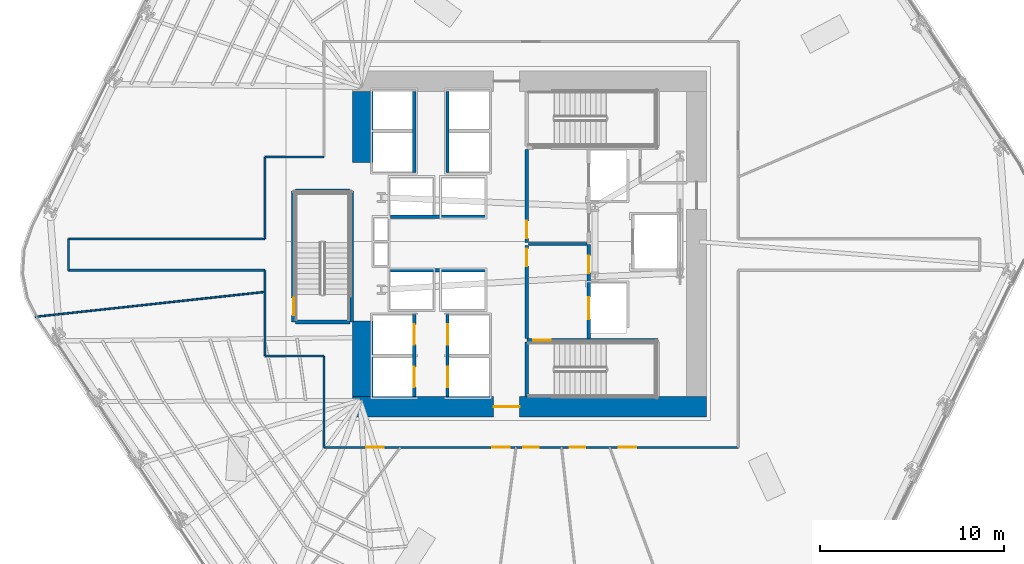
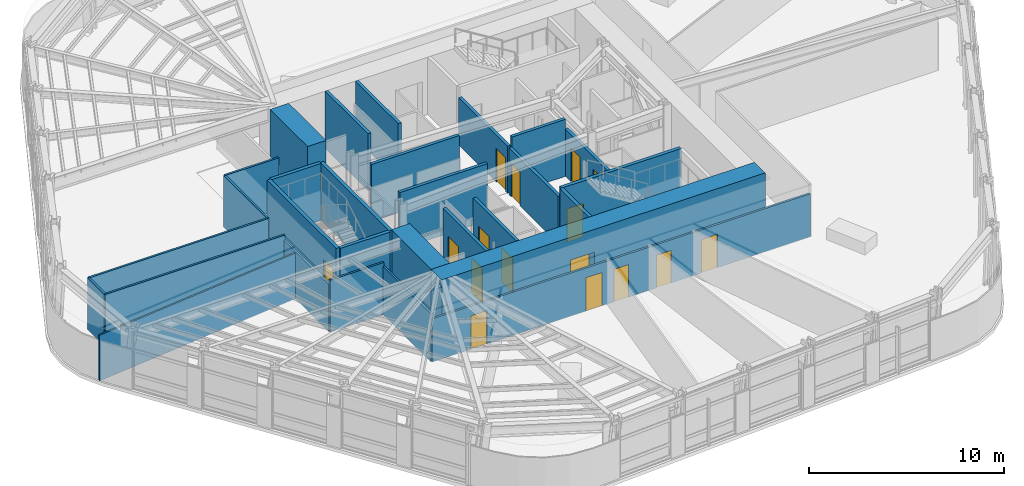
# One storey, part 8 of 15: 29 walls, 16 doors, 16 openings.
"""IFC4 building model written with IfcOpenShell, lengths in metres."""

from ifc_helpers import new_model, si_unit, direction, frame, frame_2d, origin, place, context, subcontext, project, spatial, rectangle, extrude, material, layer, layer_set, type_object, element, fill, save


model = new_model("IFC4")

# Units and contexts
model_context = context("Model", 3, precision=1e-05, world=origin(), true_north=direction((0.0, 1.0)))
body_context = subcontext(model_context, "Body", "Model", "MODEL_VIEW")
ifc_project = project(units=[si_unit("LENGTHUNIT", "METRE"), si_unit("AREAUNIT", "SQUARE_METRE"), si_unit("VOLUMEUNIT", "CUBIC_METRE"), si_unit("PLANEANGLEUNIT", "RADIAN"), si_unit("MASSUNIT", "GRAM", prefix="KILO")], contexts=[model_context])

# Site, building, storey
site_placement = place(None, origin())
site = spatial("IfcSite", under=ifc_project, at=site_placement, CompositionType="ELEMENT")
building_placement = place(site_placement, origin())
building = spatial("IfcBuilding", under=site, at=building_placement, Name="Valkerne Bourse Tower", CompositionType="ELEMENT")
storey_placement = place(building_placement, frame((0.0, 0.0, 39.199951171875)))
storey = spatial("IfcBuildingStorey", under=building, at=storey_placement, Name="L09", CompositionType="ELEMENT", Elevation=39.199951171875)

# Wall, opening, door
ifc_material_1 = material(Name="Concrete C70/85", Category="concrete")
ifc_layer_1 = layer(ifc_material_1, 1.10009765625)
ifc_layer_set_1 = layer_set([ifc_layer_1], Name="Concrete C70/85")
wall_type_1 = type_object("IfcWallType", Name="W-CORE-1100", PredefinedType="SHEAR", material=ifc_layer_set_1)
wall_1_placement = place(storey_placement, frame((37.199951171875, 18.050048828125, 0.0), z_axis=(0.0, 0.0, 1.0), x_axis=(1.0, 0.0, 0.0)))
wall_1 = element("IfcWall", 1, at=wall_1_placement, inside=storey, type_object=wall_type_1, Name="L09 Core Shear Wall SOUTH", PredefinedType="SHEAR", context=body_context, shape_type="SweptSolid", body=[
    extrude(rectangle(XDim=19.199951171875, YDim=1.10009765625, at=frame_2d((9.60009765625, 0.0))), origin(), (0.0, 0.0, 1.0), 3.580078125),
])
opening_1_placement = place(wall_1_placement, frame((7.64990234375, 0.0, 0.0)))
opening_1 = element("IfcOpeningElement", 2, at=opening_1_placement, cuts=wall_1, Name="Opening D-PL-1400", PredefinedType="OPENING", context=body_context, shape_type="SweptSolid", body=[
    extrude(rectangle(XDim=1.39990234375, YDim=2.14990234375, at=frame_2d((0.699951171875, 1.074951171875))), frame((0.0, 0.56005859375, 0.0), z_axis=(0.0, -1.0, 0.0), x_axis=(1.0, 0.0, 0.0)), (0.0, 0.0, 1.0), 1.1201171875),
])
ifc_material_2 = material(Name="Galvanised Painted Steel", Category="steel")
door_type_1 = type_object("IfcDoorType", Name="DR-PLT-1400", OperationType="DOUBLE_DOOR_SINGLE_SWING", PredefinedType="DOOR", material=ifc_material_2)
door_1_placement = place(opening_1_placement, origin())
door_1 = element("IfcDoor", 3, at=door_1_placement, inside=storey, type_object=door_type_1, Name="L09 South Passenger Lift Hall Fire Door", OperationType="DOUBLE_DOOR_SINGLE_SWING", OverallHeight=2.14990234375, OverallWidth=1.39990234375, PredefinedType="DOOR", context=body_context, shape_type="SweptSolid", body=[
    extrude(rectangle(XDim=1.39990234375, YDim=2.14990234375, at=frame_2d((0.699951171875, 1.074951171875))), frame((0.0, 0.02490234375, 0.0), z_axis=(0.0, -1.0, 0.0), x_axis=(1.0, 0.0, 0.0)), (0.0, 0.0, 1.0), 0.050048828125),
])
fill(opening_1, door_1)

# Walls
wall_2_placement = place(storey_placement, frame((37.75, 18.60009765625, 0.0), z_axis=(0.0, 0.0, 1.0), x_axis=(0.0, 1.0, 0.0)))
element("IfcWall", 4, at=wall_2_placement, inside=storey, type_object=wall_type_1, Name="L09 Core Shear Wall WEST-S", PredefinedType="SHEAR", context=body_context, shape_type="SweptSolid", body=[
    extrude(rectangle(XDim=4.099853515625, YDim=1.10009765625, at=frame_2d((2.0498046875, 0.0))), origin(), (0.0, 0.0, 1.0), 3.580078125),
])
wall_3_placement = place(storey_placement, frame((37.75, 31.300048828125, 0.0), z_axis=(0.0, 0.0, 1.0), x_axis=(0.0, 1.0, 0.0)))
element("IfcWall", 5, at=wall_3_placement, inside=storey, type_object=wall_type_1, Name="L09 Core Shear Wall WEST-N", PredefinedType="SHEAR", context=body_context, shape_type="SweptSolid", body=[
    extrude(rectangle(XDim=3.849853515625, YDim=1.10009765625, at=frame_2d((1.9248046875, 0.0))), origin(), (0.0, 0.0, 1.0), 3.580078125),
])

# Wall, openings, doors
ifc_material_3 = material(Name="Gypsum Board Steel-Stud Partition", Category="steel")
ifc_layer_2 = layer(ifc_material_3, 0.117919921875)
ifc_layer_set_2 = layer_set([ifc_layer_2], Name="Gypsum Board Steel-Stud Partition")
wall_type_2 = type_object("IfcWallType", Name="W-CORR-140", PredefinedType="PARTITIONING", material=ifc_layer_set_2)
wall_4_placement = place(storey_placement, frame((58.10009765625, 15.85009765625, 0.0), z_axis=(0.0, 0.0, 1.0), x_axis=(-1.0, 0.0, 0.0)))
wall_4 = element("IfcWall", 6, at=wall_4_placement, inside=storey, type_object=wall_type_2, Name="L09 Corridor Enclosure Wall", PredefinedType="PARTITIONING", context=body_context, shape_type="SweptSolid", body=[
    extrude(rectangle(XDim=22.4501953125, YDim=0.117919921875, at=frame_2d((11.22509765625, 0.0))), origin(), (0.0, 0.0, 1.0), 2.711669921875),
])
opening_2_placement = place(wall_4_placement, frame((10.794921875, 0.0, 0.0)))
opening_2 = element("IfcOpeningElement", 7, at=opening_2_placement, cuts=wall_4, Name="Opening D-WC-900", PredefinedType="OPENING", context=body_context, shape_type="SweptSolid", body=[
    extrude(rectangle(XDim=0.860107421875, YDim=2.050048828125, at=frame_2d((0.43017578125, 1.02490234375))), frame((0.0, 0.06884765625, 0.0), z_axis=(0.0, -1.0, 0.0), x_axis=(1.0, 0.0, 0.0)), (0.0, 0.0, 1.0), 0.137939453125),
])
opening_3_placement = place(wall_4_placement, frame((8.27490234375, 0.0, 0.0)))
opening_3 = element("IfcOpeningElement", 8, at=opening_3_placement, cuts=wall_4, Name="Opening D-WC-900", PredefinedType="OPENING", context=body_context, shape_type="SweptSolid", body=[
    extrude(rectangle(XDim=0.860107421875, YDim=2.050048828125, at=frame_2d((0.43017578125, 1.02490234375))), frame((0.0, 0.06884765625, 0.0), z_axis=(0.0, -1.0, 0.0), x_axis=(1.0, 0.0, 0.0)), (0.0, 0.0, 1.0), 0.137939453125),
])
opening_4_placement = place(wall_4_placement, frame((12.3701171875, 0.0, 0.0)))
opening_4 = element("IfcOpeningElement", 9, at=opening_4_placement, cuts=wall_4, Name="Opening D-OF-950", PredefinedType="OPENING", context=body_context, shape_type="SweptSolid", body=[
    extrude(rectangle(XDim=0.949951171875, YDim=2.10009765625, at=frame_2d((0.47509765625, 1.050048828125))), frame((0.0, 0.06884765625, 0.0), z_axis=(0.0, -1.0, 0.0), x_axis=(1.0, 0.0, 0.0)), (0.0, 0.0, 1.0), 0.137939453125),
])
opening_5_placement = place(wall_4_placement, frame((19.2099609375, 0.0, 0.0)))
opening_5 = element("IfcOpeningElement", 10, at=opening_5_placement, cuts=wall_4, Name="Opening D-OF-950", PredefinedType="OPENING", context=body_context, shape_type="SweptSolid", body=[
    extrude(rectangle(XDim=0.949951171875, YDim=2.10009765625, at=frame_2d((0.47509765625, 1.050048828125))), frame((0.0, 0.06884765625, 0.0), z_axis=(0.0, -1.0, 0.0), x_axis=(1.0, 0.0, 0.0)), (0.0, 0.0, 1.0), 0.137939453125),
])
opening_6_placement = place(wall_4_placement, frame((5.530029296875, 0.0, 0.0)))
opening_6 = element("IfcOpeningElement", 11, at=opening_6_placement, cuts=wall_4, Name="Opening D-OF-950", PredefinedType="OPENING", context=body_context, shape_type="SweptSolid", body=[
    extrude(rectangle(XDim=0.949951171875, YDim=2.10009765625, at=frame_2d((0.47509765625, 1.050048828125))), frame((0.0, 0.06884765625, 0.0), z_axis=(0.0, -1.0, 0.0), x_axis=(1.0, 0.0, 0.0)), (0.0, 0.0, 1.0), 0.137939453125),
])
ifc_material_4 = material(Name="Architectural White Oak Timber", Category="wood")
door_type_2 = type_object("IfcDoorType", Name="DR-OFF-950", OperationType="NOTDEFINED", PredefinedType="DOOR", material=ifc_material_4)
door_2_placement = place(opening_4_placement, origin())
door_2 = element("IfcDoor", 12, at=door_2_placement, inside=storey, type_object=door_type_2, Name="L09 L09 Member Collaboration Club Salon 4 Door", OperationType="SINGLE_SWING_LEFT", OverallHeight=2.10009765625, OverallWidth=0.949951171875, PredefinedType="DOOR", context=body_context, shape_type="SweptSolid", body=[
    extrude(rectangle(XDim=0.949951171875, YDim=2.10009765625, at=frame_2d((0.47509765625, 1.050048828125))), frame((0.0, 0.02490234375, 0.0), z_axis=(0.0, -1.0, 0.0), x_axis=(1.0, 0.0, 0.0)), (0.0, 0.0, 1.0), 0.050048828125),
])
fill(opening_4, door_2)
door_3_placement = place(opening_5_placement, origin())
door_3 = element("IfcDoor", 13, at=door_3_placement, inside=storey, type_object=door_type_2, Name="L09 L09 Executive Economics Study Room 5 Door", OperationType="SINGLE_SWING_RIGHT", OverallHeight=2.10009765625, OverallWidth=0.949951171875, PredefinedType="DOOR", context=body_context, shape_type="SweptSolid", body=[
    extrude(rectangle(XDim=0.949951171875, YDim=2.10009765625, at=frame_2d((0.47509765625, 1.050048828125))), frame((0.0, 0.02490234375, 0.0), z_axis=(0.0, -1.0, 0.0), x_axis=(1.0, 0.0, 0.0)), (0.0, 0.0, 1.0), 0.050048828125),
])
fill(opening_5, door_3)
door_4_placement = place(opening_6_placement, origin())
door_4 = element("IfcDoor", 14, at=door_4_placement, inside=storey, type_object=door_type_2, Name="L09 L09 Executive Economics Study Room 6 Door", OperationType="SINGLE_SWING_RIGHT", OverallHeight=2.10009765625, OverallWidth=0.949951171875, PredefinedType="DOOR", context=body_context, shape_type="SweptSolid", body=[
    extrude(rectangle(XDim=0.949951171875, YDim=2.10009765625, at=frame_2d((0.47509765625, 1.050048828125))), frame((0.0, 0.02490234375, 0.0), z_axis=(0.0, -1.0, 0.0), x_axis=(1.0, 0.0, 0.0)), (0.0, 0.0, 1.0), 0.050048828125),
])
fill(opening_6, door_4)
door_type_3 = type_object("IfcDoorType", Name="DR-WC-900", OperationType="NOTDEFINED", PredefinedType="DOOR", material=ifc_material_4)
door_5_placement = place(opening_2_placement, origin())
door_5 = element("IfcDoor", 15, at=door_5_placement, inside=storey, type_object=door_type_3, Name="L09 L09 Men Bathroom WC 1 Door", OperationType="SINGLE_SWING_LEFT", OverallHeight=2.050048828125, OverallWidth=0.860107421875, PredefinedType="DOOR", context=body_context, shape_type="SweptSolid", body=[
    extrude(rectangle(XDim=0.860107421875, YDim=2.050048828125, at=frame_2d((0.43017578125, 1.02490234375))), frame((0.0, 0.02490234375, 0.0), z_axis=(0.0, -1.0, 0.0), x_axis=(1.0, 0.0, 0.0)), (0.0, 0.0, 1.0), 0.050048828125),
])
fill(opening_2, door_5)
door_6_placement = place(opening_3_placement, origin())
door_6 = element("IfcDoor", 16, at=door_6_placement, inside=storey, type_object=door_type_3, Name="L09 L09 Women Restroom & Shower WC 2 Door", OperationType="SINGLE_SWING_LEFT", OverallHeight=2.050048828125, OverallWidth=0.860107421875, PredefinedType="DOOR", context=body_context, shape_type="SweptSolid", body=[
    extrude(rectangle(XDim=0.860107421875, YDim=2.050048828125, at=frame_2d((0.43017578125, 1.02490234375))), frame((0.0, 0.02490234375, 0.0), z_axis=(0.0, -1.0, 0.0), x_axis=(1.0, 0.0, 0.0)), (0.0, 0.0, 1.0), 0.050048828125),
])
fill(opening_3, door_6)

# Walls
wall_5_placement = place(storey_placement, frame((35.64990234375, 15.85009765625, 0.0), z_axis=(0.0, 0.0, 1.0), x_axis=(0.0, 1.0, 0.0)))
element("IfcWall", 17, at=wall_5_placement, inside=storey, type_object=wall_type_2, Name="L09 Corridor Enclosure Wall", PredefinedType="PARTITIONING", context=body_context, shape_type="SweptSolid", body=[
    extrude(rectangle(XDim=4.949951171875, YDim=0.117919921875, at=frame_2d((2.47509765625, 0.0))), origin(), (0.0, 0.0, 1.0), 3.021484375),
])
wall_6_placement = place(storey_placement, frame((35.64990234375, 20.800048828125, 0.0), z_axis=(0.0, 0.0, 1.0), x_axis=(-1.0, 0.0, 0.0)))
element("IfcWall", 18, at=wall_6_placement, inside=storey, type_object=wall_type_2, Name="L09 Corridor Enclosure Wall", PredefinedType="PARTITIONING", context=body_context, shape_type="SweptSolid", body=[
    extrude(rectangle(XDim=3.199951171875, YDim=0.117919921875, at=frame_2d((1.60009765625, 0.0))), origin(), (0.0, 0.0, 1.0), 3.260009765625),
])
wall_7_placement = place(storey_placement, frame((32.449951171875, 20.800048828125, 0.0), z_axis=(0.0, 0.0, 1.0), x_axis=(0.0, 1.0, 0.0)))
element("IfcWall", 19, at=wall_7_placement, inside=storey, type_object=wall_type_2, Name="L09 Corridor Enclosure Wall", PredefinedType="PARTITIONING", context=body_context, shape_type="SweptSolid", body=[
    extrude(rectangle(XDim=4.64990234375, YDim=0.117919921875, at=frame_2d((2.324951171875, 0.0))), origin(), (0.0, 0.0, 1.0), 2.962890625),
])
wall_8_placement = place(storey_placement, frame((32.449951171875, 25.449951171875, 0.0), z_axis=(0.0, 0.0, 1.0), x_axis=(-1.0, 0.0, 0.0)))
element("IfcWall", 20, at=wall_8_placement, inside=storey, type_object=wall_type_2, Name="L09 Corridor Enclosure Wall", PredefinedType="PARTITIONING", context=body_context, shape_type="SweptSolid", body=[
    extrude(rectangle(XDim=10.64990234375, YDim=0.117919921875, at=frame_2d((5.324951171875, 0.0))), origin(), (0.0, 0.0, 1.0), 3.280029296875),
])
wall_9_placement = place(storey_placement, frame((21.800048828125, 25.449951171875, 0.0), z_axis=(0.0, 0.0, 1.0), x_axis=(0.0, 1.0, 0.0)))
element("IfcWall", 21, at=wall_9_placement, inside=storey, type_object=wall_type_2, Name="L09 Corridor Enclosure Wall", PredefinedType="PARTITIONING", context=body_context, shape_type="SweptSolid", body=[
    extrude(rectangle(XDim=1.699951171875, YDim=0.117919921875, at=frame_2d((0.85009765625, 0.0))), origin(), (0.0, 0.0, 1.0), 3.280029296875),
])
wall_10_placement = place(storey_placement, frame((21.800048828125, 27.14990234375, 0.0), z_axis=(0.0, 0.0, 1.0), x_axis=(1.0, 0.0, 0.0)))
element("IfcWall", 22, at=wall_10_placement, inside=storey, type_object=wall_type_2, Name="L09 Corridor Enclosure Wall", PredefinedType="PARTITIONING", context=body_context, shape_type="SweptSolid", body=[
    extrude(rectangle(XDim=10.64990234375, YDim=0.117919921875, at=frame_2d((5.324951171875, 0.0))), origin(), (0.0, 0.0, 1.0), 3.280029296875),
])
wall_11_placement = place(storey_placement, frame((32.449951171875, 27.14990234375, 0.0), z_axis=(0.0, 0.0, 1.0), x_axis=(0.0, 1.0, 0.0)))
element("IfcWall", 23, at=wall_11_placement, inside=storey, type_object=wall_type_2, Name="L09 Corridor Enclosure Wall", PredefinedType="PARTITIONING", context=body_context, shape_type="SweptSolid", body=[
    extrude(rectangle(XDim=4.4501953125, YDim=0.117919921875, at=frame_2d((2.22509765625, 0.0))), origin(), (0.0, 0.0, 1.0), 3.280029296875),
])
wall_12_placement = place(storey_placement, frame((32.449951171875, 31.60009765625, 0.0), z_axis=(0.0, 0.0, 1.0), x_axis=(1.0, 0.0, 0.0)))
element("IfcWall", 24, at=wall_12_placement, inside=storey, type_object=wall_type_2, Name="L09 Corridor Enclosure Wall", PredefinedType="PARTITIONING", context=body_context, shape_type="SweptSolid", body=[
    extrude(rectangle(XDim=3.199951171875, YDim=0.117919921875, at=frame_2d((1.60009765625, 0.0))), origin(), (0.0, 0.0, 1.0), 3.280029296875),
])
ifc_material_5 = material(Name="Gypsum Fire-Rated Shaftwall", Category="gypsum")
ifc_layer_3 = layer(ifc_material_5, 0.179931640625)
ifc_layer_set_3 = layer_set([ifc_layer_3], Name="Gypsum Fire-Rated Shaftwall")
wall_type_3 = type_object("IfcWallType", Name="W-FSAE-180", PredefinedType="PARTITIONING", material=ifc_layer_set_3)
wall_13_placement = place(storey_placement, frame((46.739990234375, 26.8798828125, 0.0), z_axis=(0.0, 0.0, 1.0), x_axis=(1.0, 0.0, 0.0)))
element("IfcWall", 25, at=wall_13_placement, inside=storey, type_object=wall_type_3, Name="L09 FSAE-1/2 Lobby Dividing Fire Wall", PredefinedType="PARTITIONING", context=body_context, shape_type="SweptSolid", body=[
    extrude(rectangle(XDim=3.169921875, YDim=0.179931640625, at=frame_2d((1.5849609375, 0.0))), origin(), (0.0, 0.0, 1.0), 3.580078125),
])

# Wall, opening, door
wall_14_placement = place(storey_placement, frame((46.64990234375, 21.75, 0.0), z_axis=(0.0, 0.0, 1.0), x_axis=(0.0, 1.0, 0.0)))
wall_14 = element("IfcWall", 26, at=wall_14_placement, inside=storey, type_object=wall_type_3, Name="L09 FSAE-1 Lobby West Fire Wall", PredefinedType="PARTITIONING", context=body_context, shape_type="SweptSolid", body=[
    extrude(rectangle(XDim=5.050048828125, YDim=0.179931640625, at=frame_2d((2.52490234375, 0.0))), origin(), (0.0, 0.0, 1.0), 2.9580078125),
])
opening_7_placement = place(wall_14_placement, frame((3.919921875, 0.0, 0.0)))
opening_7 = element("IfcOpeningElement", 27, at=opening_7_placement, cuts=wall_14, Name="Opening D-FS-950", PredefinedType="OPENING", context=body_context, shape_type="SweptSolid", body=[
    extrude(rectangle(XDim=0.949951171875, YDim=2.10009765625, at=frame_2d((0.47509765625, 1.050048828125))), frame((0.0, 0.099853515625, 0.0), z_axis=(0.0, -1.0, 0.0), x_axis=(1.0, 0.0, 0.0)), (0.0, 0.0, 1.0), 0.199951171875),
])
door_type_4 = type_object("IfcDoorType", Name="DR-FSAE-950", OperationType="NOTDEFINED", PredefinedType="DOOR", material=ifc_material_2)
door_7_placement = place(opening_7_placement, origin())
door_7 = element("IfcDoor", 28, at=door_7_placement, inside=storey, type_object=door_type_4, Name="L09 FSAE-1 Hall Link Fire Door", OperationType="SINGLE_SWING_RIGHT", OverallHeight=2.10009765625, OverallWidth=0.949951171875, PredefinedType="DOOR", context=body_context, shape_type="SweptSolid", body=[
    extrude(rectangle(XDim=0.949951171875, YDim=2.10009765625, at=frame_2d((0.47509765625, 1.050048828125))), frame((0.0, 0.02490234375, 0.0), z_axis=(0.0, -1.0, 0.0), x_axis=(1.0, 0.0, 0.0)), (0.0, 0.0, 1.0), 0.050048828125),
])
fill(opening_7, door_7)

wall_15_placement = place(storey_placement, frame((46.64990234375, 26.9599609375, 0.0), z_axis=(0.0, 0.0, 1.0), x_axis=(0.0, 1.0, 0.0)))
wall_15 = element("IfcWall", 29, at=wall_15_placement, inside=storey, type_object=wall_type_3, Name="L09 FSAE-2 Lobby West Fire Wall", PredefinedType="PARTITIONING", context=body_context, shape_type="SweptSolid", body=[
    extrude(rectangle(XDim=5.0400390625, YDim=0.179931640625, at=frame_2d((2.52001953125, 0.0))), origin(), (0.0, 0.0, 1.0), 2.9580078125),
])
opening_8_placement = place(wall_15_placement, frame((0.219970703125, 0.0, 0.0)))
opening_8 = element("IfcOpeningElement", 30, at=opening_8_placement, cuts=wall_15, Name="Opening D-FS-950", PredefinedType="OPENING", context=body_context, shape_type="SweptSolid", body=[
    extrude(rectangle(XDim=0.949951171875, YDim=2.10009765625, at=frame_2d((0.47509765625, 1.050048828125))), frame((0.0, 0.099853515625, 0.0), z_axis=(0.0, -1.0, 0.0), x_axis=(1.0, 0.0, 0.0)), (0.0, 0.0, 1.0), 0.199951171875),
])
door_8_placement = place(opening_8_placement, origin())
door_8 = element("IfcDoor", 31, at=door_8_placement, inside=storey, type_object=door_type_4, Name="L09 FSAE-2 Hall Link Fire Door", OperationType="SINGLE_SWING_RIGHT", OverallHeight=2.10009765625, OverallWidth=0.949951171875, PredefinedType="DOOR", context=body_context, shape_type="SweptSolid", body=[
    extrude(rectangle(XDim=0.949951171875, YDim=2.10009765625, at=frame_2d((0.47509765625, 1.050048828125))), frame((0.0, 0.02490234375, 0.0), z_axis=(0.0, -1.0, 0.0), x_axis=(1.0, 0.0, 0.0)), (0.0, 0.0, 1.0), 0.050048828125),
])
fill(opening_8, door_8)

# Wall, openings, doors
wall_16_placement = place(storey_placement, frame((50.0, 21.75, 0.0), z_axis=(0.0, 0.0, 1.0), x_axis=(0.0, 1.0, 0.0)))
wall_16 = element("IfcWall", 32, at=wall_16_placement, inside=storey, type_object=wall_type_3, Name="L09 FSAE-1 Lobby & Shaft Front Wall", PredefinedType="PARTITIONING", context=body_context, shape_type="SweptSolid", body=[
    extrude(rectangle(XDim=5.090087890625, YDim=0.179931640625, at=frame_2d((2.544921875, 0.0))), origin(), (0.0, 0.0, 1.0), 2.9580078125),
])
opening_9_placement = place(wall_16_placement, frame((1.050048828125, 0.0, 0.0)))
opening_9 = element("IfcOpeningElement", 33, at=opening_9_placement, cuts=wall_16, Name="Opening LD-1200", PredefinedType="OPENING", context=body_context, shape_type="SweptSolid", body=[
    extrude(rectangle(XDim=1.199951171875, YDim=2.14990234375, at=frame_2d((0.60009765625, 1.074951171875))), frame((0.0, 0.099853515625, 0.0), z_axis=(0.0, -1.0, 0.0), x_axis=(1.0, 0.0, 0.0)), (0.0, 0.0, 1.0), 0.199951171875),
])
opening_10_placement = place(wall_16_placement, frame((3.550048828125, 0.0, 0.0)))
opening_10 = element("IfcOpeningElement", 34, at=opening_10_placement, cuts=wall_16, Name="Opening D-FS-950", PredefinedType="OPENING", context=body_context, shape_type="SweptSolid", body=[
    extrude(rectangle(XDim=0.949951171875, YDim=2.10009765625, at=frame_2d((0.47509765625, 1.050048828125))), frame((0.0, 0.099853515625, 0.0), z_axis=(0.0, -1.0, 0.0), x_axis=(1.0, 0.0, 0.0)), (0.0, 0.0, 1.0), 0.199951171875),
])
door_9_placement = place(opening_10_placement, origin())
door_9 = element("IfcDoor", 35, at=door_9_placement, inside=storey, type_object=door_type_4, Name="L09 FSAE-1 Lobby Corridor Fire Door", OperationType="SINGLE_SWING_LEFT", OverallHeight=2.10009765625, OverallWidth=0.949951171875, PredefinedType="DOOR", context=body_context, shape_type="SweptSolid", body=[
    extrude(rectangle(XDim=0.949951171875, YDim=2.10009765625, at=frame_2d((0.47509765625, 1.050048828125))), frame((0.0, 0.02490234375, 0.0), z_axis=(0.0, -1.0, 0.0), x_axis=(1.0, 0.0, 0.0)), (0.0, 0.0, 1.0), 0.050048828125),
])
fill(opening_10, door_9)
ifc_material_6 = material(Name="Stainless Steel AISI 316", Category="steel")
door_type_5 = type_object("IfcDoorType", Name="DR-LIFT-1200", OperationType="DOUBLE_DOOR_SLIDING", PredefinedType="DOOR", material=ifc_material_6)
door_10_placement = place(opening_9_placement, origin())
door_10 = element("IfcDoor", 36, at=door_10_placement, inside=storey, type_object=door_type_5, Name="L09 FSAE-1 Firefighting Lift Landing Door", OperationType="DOUBLE_DOOR_SLIDING", OverallHeight=2.14990234375, OverallWidth=1.199951171875, PredefinedType="DOOR", context=body_context, shape_type="SweptSolid", body=[
    extrude(rectangle(XDim=1.199951171875, YDim=2.14990234375, at=frame_2d((0.60009765625, 1.074951171875))), frame((0.0, 0.02490234375, 0.0), z_axis=(0.0, -1.0, 0.0), x_axis=(1.0, 0.0, 0.0)), (0.0, 0.0, 1.0), 0.050048828125),
])
fill(opening_9, door_10)

ifc_material_7 = material(Name="CMU Blockwork Masonry 200mm", Category="masonry")
ifc_layer_4 = layer(ifc_material_7, 0.179931640625)
ifc_layer_set_4 = layer_set([ifc_layer_4], Name="CMU Blockwork Masonry 200mm")
wall_type_4 = type_object("IfcWallType", Name="W-LFT-180", PredefinedType="SOLIDWALL", material=ifc_layer_set_4)
wall_17_placement = place(storey_placement, frame((40.550048828125, 18.6201171875, 0.0), z_axis=(0.0, 0.0, 1.0), x_axis=(0.0, 1.0, 0.0)))
wall_17 = element("IfcWall", 37, at=wall_17_placement, inside=storey, type_object=wall_type_4, Name="L09 Low-Zone West Cars Front Wall", PredefinedType="SOLIDWALL", context=body_context, shape_type="SweptSolid", body=[
    extrude(rectangle(XDim=4.429931640625, YDim=0.179931640625, at=frame_2d((2.21484375, 0.0))), origin(), (0.0, 0.0, 1.0), 3.580078125),
])
opening_11_placement = place(wall_17_placement, frame((0.5, 0.0, 0.0)))
opening_11 = element("IfcOpeningElement", 38, at=opening_11_placement, cuts=wall_17, Name="Opening LD-1100", PredefinedType="OPENING", context=body_context, shape_type="SweptSolid", body=[
    extrude(rectangle(XDim=1.10009765625, YDim=2.14990234375, at=frame_2d((0.550048828125, 1.074951171875))), frame((0.0, 0.099853515625, 0.0), z_axis=(0.0, -1.0, 0.0), x_axis=(1.0, 0.0, 0.0)), (0.0, 0.0, 1.0), 0.199951171875),
])
opening_12_placement = place(wall_17_placement, frame((2.800048828125, 0.0, 0.0)))
opening_12 = element("IfcOpeningElement", 39, at=opening_12_placement, cuts=wall_17, Name="Opening LD-1100", PredefinedType="OPENING", context=body_context, shape_type="SweptSolid", body=[
    extrude(rectangle(XDim=1.10009765625, YDim=2.14990234375, at=frame_2d((0.550048828125, 1.074951171875))), frame((0.0, 0.099853515625, 0.0), z_axis=(0.0, -1.0, 0.0), x_axis=(1.0, 0.0, 0.0)), (0.0, 0.0, 1.0), 0.199951171875),
])
door_type_6 = type_object("IfcDoorType", Name="DR-LIFT-1100", OperationType="DOUBLE_DOOR_SLIDING", PredefinedType="DOOR", material=ifc_material_6)
door_11_placement = place(opening_11_placement, origin())
door_11 = element("IfcDoor", 40, at=door_11_placement, inside=storey, type_object=door_type_6, Name="L09 Passenger Lift PL-L1 Sliding Landing Door", OperationType="DOUBLE_DOOR_SLIDING", OverallHeight=2.14990234375, OverallWidth=1.10009765625, PredefinedType="DOOR", context=body_context, shape_type="SweptSolid", body=[
    extrude(rectangle(XDim=1.10009765625, YDim=2.14990234375, at=frame_2d((0.550048828125, 1.074951171875))), frame((0.0, 0.02490234375, 0.0), z_axis=(0.0, -1.0, 0.0), x_axis=(1.0, 0.0, 0.0)), (0.0, 0.0, 1.0), 0.050048828125),
])
fill(opening_11, door_11)
door_12_placement = place(opening_12_placement, origin())
door_12 = element("IfcDoor", 41, at=door_12_placement, inside=storey, type_object=door_type_6, Name="L09 Passenger Lift PL-L2 Sliding Landing Door", OperationType="DOUBLE_DOOR_SLIDING", OverallHeight=2.14990234375, OverallWidth=1.10009765625, PredefinedType="DOOR", context=body_context, shape_type="SweptSolid", body=[
    extrude(rectangle(XDim=1.10009765625, YDim=2.14990234375, at=frame_2d((0.550048828125, 1.074951171875))), frame((0.0, 0.02490234375, 0.0), z_axis=(0.0, -1.0, 0.0), x_axis=(1.0, 0.0, 0.0)), (0.0, 0.0, 1.0), 0.050048828125),
])
fill(opening_12, door_12)

wall_18_placement = place(storey_placement, frame((42.35009765625, 18.6201171875, 0.0), z_axis=(0.0, 0.0, 1.0), x_axis=(0.0, 1.0, 0.0)))
wall_18 = element("IfcWall", 42, at=wall_18_placement, inside=storey, type_object=wall_type_4, Name="L09 Low-Zone East Cars Front Wall", PredefinedType="SOLIDWALL", context=body_context, shape_type="SweptSolid", body=[
    extrude(rectangle(XDim=4.429931640625, YDim=0.179931640625, at=frame_2d((2.21484375, 0.0))), origin(), (0.0, 0.0, 1.0), 3.580078125),
])
opening_13_placement = place(wall_18_placement, frame((0.5, 0.0, 0.0)))
opening_13 = element("IfcOpeningElement", 43, at=opening_13_placement, cuts=wall_18, Name="Opening LD-1100", PredefinedType="OPENING", context=body_context, shape_type="SweptSolid", body=[
    extrude(rectangle(XDim=1.10009765625, YDim=2.14990234375, at=frame_2d((0.550048828125, 1.074951171875))), frame((0.0, 0.099853515625, 0.0), z_axis=(0.0, -1.0, 0.0), x_axis=(1.0, 0.0, 0.0)), (0.0, 0.0, 1.0), 0.199951171875),
])
opening_14_placement = place(wall_18_placement, frame((2.800048828125, 0.0, 0.0)))
opening_14 = element("IfcOpeningElement", 44, at=opening_14_placement, cuts=wall_18, Name="Opening LD-1100", PredefinedType="OPENING", context=body_context, shape_type="SweptSolid", body=[
    extrude(rectangle(XDim=1.10009765625, YDim=2.14990234375, at=frame_2d((0.550048828125, 1.074951171875))), frame((0.0, 0.099853515625, 0.0), z_axis=(0.0, -1.0, 0.0), x_axis=(1.0, 0.0, 0.0)), (0.0, 0.0, 1.0), 0.199951171875),
])
door_13_placement = place(opening_13_placement, origin())
door_13 = element("IfcDoor", 45, at=door_13_placement, inside=storey, type_object=door_type_6, Name="L09 Passenger Lift PL-L3 Sliding Landing Door", OperationType="DOUBLE_DOOR_SLIDING", OverallHeight=2.14990234375, OverallWidth=1.10009765625, PredefinedType="DOOR", context=body_context, shape_type="SweptSolid", body=[
    extrude(rectangle(XDim=1.10009765625, YDim=2.14990234375, at=frame_2d((0.550048828125, 1.074951171875))), frame((0.0, 0.02490234375, 0.0), z_axis=(0.0, -1.0, 0.0), x_axis=(1.0, 0.0, 0.0)), (0.0, 0.0, 1.0), 0.050048828125),
])
fill(opening_13, door_13)
door_14_placement = place(opening_14_placement, origin())
door_14 = element("IfcDoor", 46, at=door_14_placement, inside=storey, type_object=door_type_6, Name="L09 Passenger Lift PL-L4 Sliding Landing Door", OperationType="DOUBLE_DOOR_SLIDING", OverallHeight=2.14990234375, OverallWidth=1.10009765625, PredefinedType="DOOR", context=body_context, shape_type="SweptSolid", body=[
    extrude(rectangle(XDim=1.10009765625, YDim=2.14990234375, at=frame_2d((0.550048828125, 1.074951171875))), frame((0.0, 0.02490234375, 0.0), z_axis=(0.0, -1.0, 0.0), x_axis=(1.0, 0.0, 0.0)), (0.0, 0.0, 1.0), 0.050048828125),
])
fill(opening_14, door_14)

# Walls
for number, where, z_axis, x_axis, name in (
    (47, (40.550048828125, 30.75, 0.0), (0.0, 0.0, 1.0), (0.0, 1.0, 0.0), "L09 Mid-Zone West Cars Front Wall"),
    (48, (42.35009765625, 30.75, 0.0), (0.0, 0.0, 1.0), (0.0, 1.0, 0.0), "L09 Mid-Zone East Cars Front Wall"),
):
    element("IfcWall", number, at=place(storey_placement, frame(where, z_axis=z_axis, x_axis=x_axis)), inside=storey, type_object=wall_type_4, Name=name, PredefinedType="SOLIDWALL", context=body_context, shape_type="SweptSolid", body=[
        extrude(rectangle(XDim=4.39990234375, YDim=0.179931640625, at=frame_2d((2.199951171875, 0.0))), origin(), (0.0, 0.0, 1.0), 3.580078125),
    ])
for number, where, z_axis, x_axis, name in (
    (49, (39.25, 25.449951171875, 0.0), (0.0, 0.0, 1.0), (1.0, 0.0, 0.0), "L09 High-Zone South Cars Front Wall"),
    (50, (39.25, 28.35009765625, 0.0), (0.0, 0.0, 1.0), (1.0, 0.0, 0.0), "L09 High-Zone North Cars Front Wall"),
):
    element("IfcWall", number, at=place(storey_placement, frame(where, z_axis=z_axis, x_axis=x_axis)), inside=storey, type_object=wall_type_4, Name=name, PredefinedType="SOLIDWALL", context=body_context, shape_type="SweptSolid", body=[
        extrude(rectangle(XDim=5.199951171875, YDim=0.179931640625, at=frame_2d((2.60009765625, 0.0))), origin(), (0.0, 0.0, 1.0), 3.580078125),
    ])
ifc_layer_5 = layer(ifc_material_3, 0.092041015625)
ifc_layer_set_5 = layer_set([ifc_layer_5], Name="Gypsum Board Steel-Stud Partition")
wall_type_5 = type_object("IfcWallType", Name="W-PART-115", PredefinedType="PARTITIONING", material=ifc_layer_set_5)
wall_19_placement = place(storey_placement, frame((32.445068359375, 24.278564453125, 0.0), z_axis=(0.0, 0.0, 1.0), x_axis=(-0.994175699901, -0.107771414238, 0.0)))
element("IfcWall", 51, at=wall_19_placement, inside=storey, type_object=wall_type_5, Name="L09 Suite Partition P06", PredefinedType="PARTITIONING", context=body_context, shape_type="SweptSolid", body=[
    extrude(rectangle(XDim=12.52294921875, YDim=0.092041015625, at=frame_2d((6.261474609375, 0.0))), origin(), (0.0, 0.0, 1.0), 2.864013671875),
])

# Wall, opening, door
ifc_material_8 = material(Name="Concrete C40/50", Category="concrete")
ifc_layer_6 = layer(ifc_material_8, 0.199951171875)
ifc_layer_set_6 = layer_set([ifc_layer_6], Name="Concrete C40/50")
wall_type_6 = type_object("IfcWallType", Name="W-SHF-200", PredefinedType="SHEAR", material=ifc_layer_set_6)
wall_20_placement = place(storey_placement, frame((46.64990234375, 21.64990234375, 0.0), z_axis=(0.0, 0.0, 1.0), x_axis=(1.0, 0.0, 0.0)))
wall_20 = element("IfcWall", 52, at=wall_20_placement, inside=storey, type_object=wall_type_6, Name="L09 Exit Stair ST-1 Structural Shaft Wall North", PredefinedType="SHEAR", context=body_context, shape_type="SweptSolid", body=[
    extrude(rectangle(XDim=7.10009765625, YDim=0.199951171875, at=frame_2d((3.550048828125, 0.0))), origin(), (0.0, 0.0, 1.0), 3.580078125),
])
opening_15_placement = place(wall_20_placement, frame((0.35009765625, 0.0, 0.0)))
opening_15 = element("IfcOpeningElement", 53, at=opening_15_placement, cuts=wall_20, Name="Opening D-ST-950", PredefinedType="OPENING", context=body_context, shape_type="SweptSolid", body=[
    extrude(rectangle(XDim=0.949951171875, YDim=2.10009765625, at=frame_2d((0.47509765625, 1.050048828125))), frame((0.0, 0.10986328125, 0.0), z_axis=(0.0, -1.0, 0.0), x_axis=(1.0, 0.0, 0.0)), (0.0, 0.0, 1.0), 0.219970703125),
])
door_type_7 = type_object("IfcDoorType", Name="DR-STAIR-950", OperationType="NOTDEFINED", PredefinedType="DOOR", material=ifc_material_2)
door_15_placement = place(opening_15_placement, origin())
door_15 = element("IfcDoor", 54, at=door_15_placement, inside=storey, type_object=door_type_7, Name="L09 Exit Stair ST-1 Door", OperationType="SINGLE_SWING_RIGHT", OverallHeight=2.10009765625, OverallWidth=0.949951171875, PredefinedType="DOOR", context=body_context, shape_type="SweptSolid", body=[
    extrude(rectangle(XDim=0.949951171875, YDim=2.10009765625, at=frame_2d((0.47509765625, 1.050048828125))), frame((0.0, 0.02490234375, 0.0), z_axis=(0.0, -1.0, 0.0), x_axis=(1.0, 0.0, 0.0)), (0.0, 0.0, 1.0), 0.050048828125),
])
fill(opening_15, door_15)

# Wall
wall_21_placement = place(storey_placement, frame((46.64990234375, 18.60009765625, 0.0), z_axis=(0.0, 0.0, 1.0), x_axis=(0.0, 1.0, 0.0)))
element("IfcWall", 55, at=wall_21_placement, inside=storey, type_object=wall_type_6, Name="L09 Exit Stair ST-1 Structural Shaft Wall West", PredefinedType="SHEAR", context=body_context, shape_type="SweptSolid", body=[
    extrude(rectangle(XDim=2.949951171875, YDim=0.199951171875, at=frame_2d((1.47509765625, 0.0))), origin(), (0.0, 0.0, 1.0), 3.580078125),
])

# Wall, opening, door
wall_22_placement = place(storey_placement, frame((34.0, 22.64990234375, 0.0), z_axis=(0.0, 0.0, 1.0), x_axis=(0.0, 1.0, 0.0)))
wall_22 = element("IfcWall", 56, at=wall_22_placement, inside=storey, type_object=wall_type_6, Name="L09 Exit Stair ST-3 Structural Shaft Wall West", PredefinedType="SHEAR", context=body_context, shape_type="SweptSolid", body=[
    extrude(rectangle(XDim=7.10009765625, YDim=0.199951171875, at=frame_2d((3.550048828125, 0.0))), origin(), (0.0, 0.0, 1.0), 3.580078125),
])
opening_16_placement = place(wall_22_placement, frame((0.35009765625, 0.0, 0.0)))
opening_16 = element("IfcOpeningElement", 57, at=opening_16_placement, cuts=wall_22, Name="Opening D-ST-950", PredefinedType="OPENING", context=body_context, shape_type="SweptSolid", body=[
    extrude(rectangle(XDim=0.949951171875, YDim=2.10009765625, at=frame_2d((0.47509765625, 1.050048828125))), frame((0.0, 0.10986328125, 0.0), z_axis=(0.0, -1.0, 0.0), x_axis=(1.0, 0.0, 0.0)), (0.0, 0.0, 1.0), 0.219970703125),
])
door_16_placement = place(opening_16_placement, origin())
door_16 = element("IfcDoor", 58, at=door_16_placement, inside=storey, type_object=door_type_7, Name="L09 Exit Stair ST-3 Door", OperationType="SINGLE_SWING_RIGHT", OverallHeight=2.10009765625, OverallWidth=0.949951171875, PredefinedType="DOOR", context=body_context, shape_type="SweptSolid", body=[
    extrude(rectangle(XDim=0.949951171875, YDim=2.10009765625, at=frame_2d((0.47509765625, 1.050048828125))), frame((0.0, 0.02490234375, 0.0), z_axis=(0.0, -1.0, 0.0), x_axis=(1.0, 0.0, 0.0)), (0.0, 0.0, 1.0), 0.050048828125),
])
fill(opening_16, door_16)

# Walls
for number, where, z_axis, x_axis, name in (
    (59, (34.10009765625, 22.64990234375, 0.0), (0.0, 0.0, 1.0), (1.0, 0.0, 0.0), "L09 Exit Stair ST-3 Structural Shaft Wall South"),
    (60, (34.10009765625, 29.75, 0.0), (0.0, 0.0, 1.0), (1.0, 0.0, 0.0), "L09 Exit Stair ST-3 Structural Shaft Wall North"),
):
    element("IfcWall", number, at=place(storey_placement, frame(where, z_axis=z_axis, x_axis=x_axis)), inside=storey, type_object=wall_type_6, Name=name, PredefinedType="SHEAR", context=body_context, shape_type="SweptSolid", body=[
        extrude(rectangle(XDim=2.949951171875, YDim=0.199951171875, at=frame_2d((1.47509765625, 0.0))), origin(), (0.0, 0.0, 1.0), 3.580078125),
    ])
wall_23_placement = place(storey_placement, frame((37.14990234375, 22.64990234375, 0.0), z_axis=(0.0, 0.0, 1.0), x_axis=(0.0, 1.0, 0.0)))
element("IfcWall", 61, at=wall_23_placement, inside=storey, type_object=wall_type_6, Name="L09 Exit Stair ST-3 Structural Shaft Wall East", PredefinedType="SHEAR", context=body_context, shape_type="SweptSolid", body=[
    extrude(rectangle(XDim=7.10009765625, YDim=0.199951171875, at=frame_2d((3.550048828125, 0.0))), origin(), (0.0, 0.0, 1.0), 3.580078125),
])

save(model, "model.ifc")
